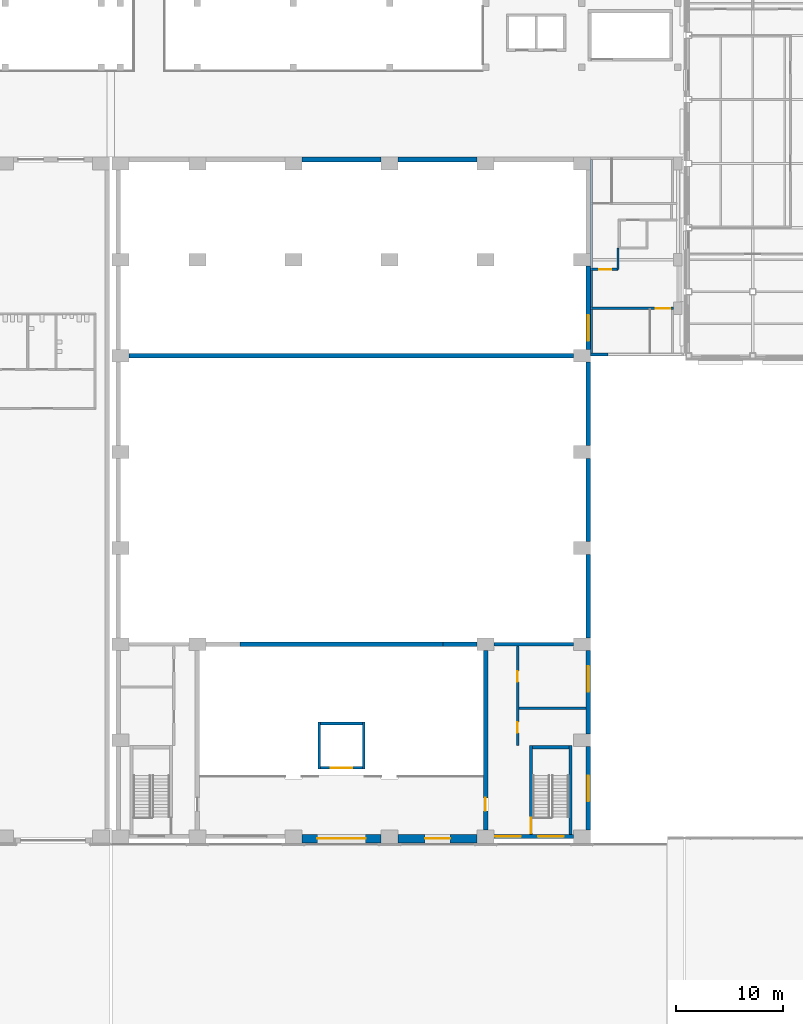
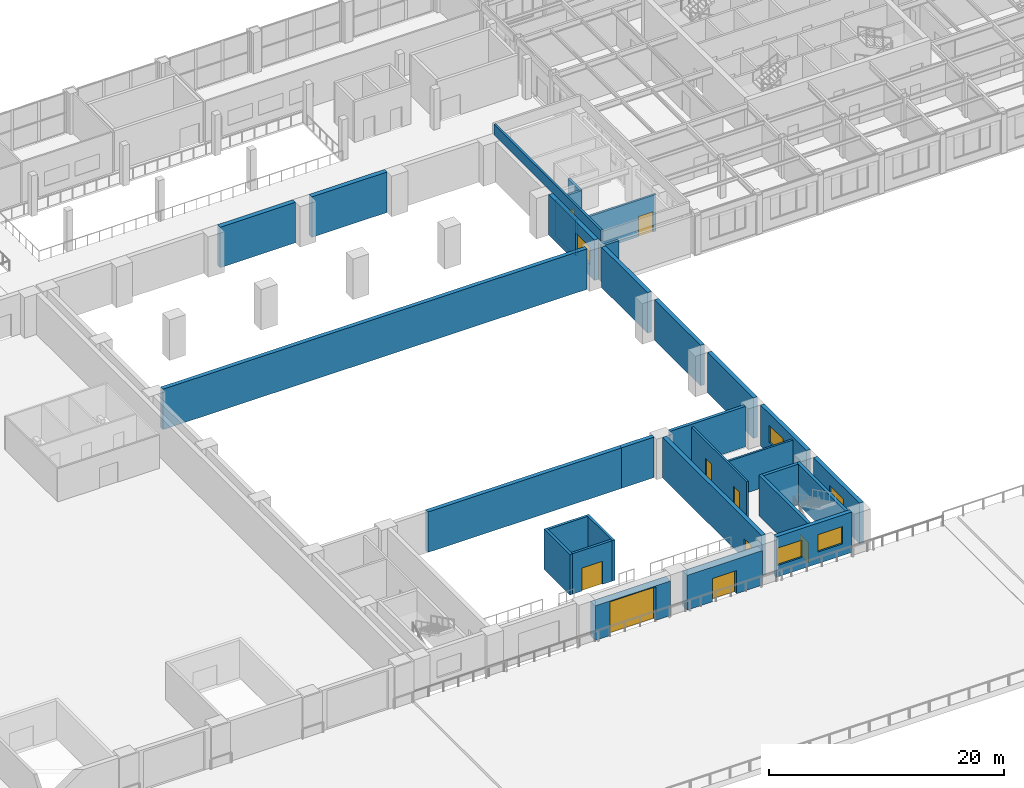
# One storey, part 21 of 39: 32 walls, 9 doors, 5 windows, 14 openings.
"""IFC4 building model written with IfcOpenShell, lengths in metres."""

import ifcopenshell
import ifcopenshell.guid

model = None  # the IFC model being written
_history = None  # IfcOwnerHistory: only IFC2X3 demands one
_inside = {}  # id of a spatial element -> (the spatial element, [elements in it])
_under = {}  # id of a project, library or spatial element -> (it, [spatial elements below it])
_declared = {}  # id of a project -> (the project, [libraries it declares])
_typed = {}  # id of a type object -> (the type object, [elements of that type])
_made_of = {}  # id of a material, layer set ... -> (it, [elements and type objects made of it])


def new_model(schema):
    """Start an empty IFC model of exactly this schema.

    Asked for "IFC4X3", IfcOpenShell would pick the latest addendum, in which some entities
    have other attributes; the version numbers below select the first issue.
    IFC2X3 requires an IfcOwnerHistory on every rooted entity: one is made here for all.
    """
    global model, _history
    if schema == "IFC4X3":
        model = ifcopenshell.file(schema_version=(4, 3, 0, 0))
    else:
        model = ifcopenshell.file(schema=schema)
    _inside.clear()
    _under.clear()
    _declared.clear()
    _typed.clear()
    _made_of.clear()
    _history = None
    if model.schema == "IFC2X3":
        org = make("IfcOrganization", Name="unknown")
        user = make(
            "IfcPersonAndOrganization",
            ThePerson=make("IfcPerson", FamilyName="unknown"),
            TheOrganization=org,
        )
        app = make(
            "IfcApplication",
            ApplicationDeveloper=org,
            Version="unknown",
            ApplicationFullName="unknown",
            ApplicationIdentifier="unknown",
        )
        _history = make(
            "IfcOwnerHistory",
            OwningUser=user,
            OwningApplication=app,
            ChangeAction="ADDED",
            CreationDate=0,
        )
    return model


def make(cls, **values):
    """One entity of the class cls with the attributes given. An attribute that is None is left unset."""
    return model.create_entity(
        cls, **{name: value for name, value in values.items() if value is not None}
    )


def rooted(cls, **values):
    """An entity with a GlobalId (a new one), such as an element, a storey or a relation."""
    return make(cls, GlobalId=ifcopenshell.guid.new(), OwnerHistory=_history, **values)


def si_unit(unit_type, name, prefix=None):
    """IfcSIUnit, for example si_unit("LENGTHUNIT", "METRE", prefix="MILLI")."""
    return make("IfcSIUnit", UnitType=unit_type, Prefix=prefix, Name=name)


def assignment(units):
    """IfcUnitAssignment: the units of a project."""
    return None if units is None else make("IfcUnitAssignment", Units=units)


def point(xyz):
    """IfcCartesianPoint."""
    return None if xyz is None else make("IfcCartesianPoint", Coordinates=xyz)


def direction(xyz):
    """IfcDirection."""
    return None if xyz is None else make("IfcDirection", DirectionRatios=xyz)


def frame(location, z_axis=None, x_axis=None):
    """IfcAxis2Placement3D, a coordinate frame: its origin and axes. An axis left out is left unset."""
    return make(
        "IfcAxis2Placement3D",
        Location=point(location),
        Axis=direction(z_axis),
        RefDirection=direction(x_axis),
    )


def frame_2d(location, x_axis=None):
    """IfcAxis2Placement2D, a coordinate frame in the plane: its origin and x axis."""
    return make(
        "IfcAxis2Placement2D", Location=point(location), RefDirection=direction(x_axis)
    )


def origin():
    """The frame at (0, 0, 0) with its axes left unset."""
    return frame((0.0, 0.0, 0.0))


def place(relative_to, where):
    """IfcLocalPlacement: puts the frame where relative to a parent placement (None: the world)."""
    return make(
        "IfcLocalPlacement", PlacementRelTo=relative_to, RelativePlacement=where
    )


def context(
    kind, dimensions, precision=None, world=None, true_north=None, identifier=None
):
    """IfcGeometricRepresentationContext, for example the 3D "Model" context."""
    return make(
        "IfcGeometricRepresentationContext",
        ContextIdentifier=identifier,
        ContextType=kind,
        CoordinateSpaceDimension=dimensions,
        Precision=precision,
        WorldCoordinateSystem=world,
        TrueNorth=true_north,
    )


def subcontext(parent, identifier, kind, view, scale=None):
    """IfcGeometricRepresentationSubContext, for example "Body" below "Model"."""
    return make(
        "IfcGeometricRepresentationSubContext",
        ContextIdentifier=identifier,
        ContextType=kind,
        ParentContext=parent,
        TargetScale=scale,
        TargetView=view,
    )


def project(units=None, contexts=None):
    """IfcProject with its units and contexts."""
    return rooted(
        "IfcProject",
        Name="project",
        RepresentationContexts=contexts,
        UnitsInContext=assignment(units),
    )


def spatial(cls, under=None, at=None, **own):
    """A site, building, storey or space (cls), placed at a placement, below another one or the project."""
    s = rooted(cls, ObjectPlacement=at, **own)
    if under is not None:
        _under.setdefault(under.id(), (under, []))[1].append(s)
    return s


def profile(cls, at=None, kind="AREA", **sizes):
    """A parametric profile (cls). Its sizes go by their IFC names, for example OverallWidth=200.0."""
    return make(cls, ProfileType=kind, Position=at, **sizes)


def rectangle(**sizes):
    """IfcRectangleProfileDef."""
    return profile("IfcRectangleProfileDef", **sizes)


def extrude(swept, where, along, depth):
    """IfcExtrudedAreaSolid: the profile swept, set in the frame where, extruded along a direction by depth."""
    return make(
        "IfcExtrudedAreaSolid",
        SweptArea=swept,
        Position=where,
        ExtrudedDirection=direction(along),
        Depth=depth,
    )


def shape(context_of_items, identifier, shape_type, items):
    """IfcShapeRepresentation: the items that make up one representation, for example the "Body"."""
    return make(
        "IfcShapeRepresentation",
        ContextOfItems=context_of_items,
        RepresentationIdentifier=identifier,
        RepresentationType=shape_type,
        Items=items,
    )


def material(Name=None, Category=None):
    """IfcMaterial."""
    return make("IfcMaterial", Name=Name, Category=Category)


def layer(
    of_material, thickness, ventilated=None, Name=None, Category=None, Priority=None
):
    """IfcMaterialLayer: one layer of a wall or slab, of a material (None: an air gap)."""
    return make(
        "IfcMaterialLayer",
        Material=of_material,
        LayerThickness=thickness,
        IsVentilated=ventilated,
        Name=Name,
        Category=Category,
        Priority=Priority,
    )


def layer_set(layers, Name=None):
    """IfcMaterialLayerSet."""
    return make("IfcMaterialLayerSet", MaterialLayers=layers, LayerSetName=Name)


def made_of(thing, what):
    """Note that an element or type object is made of a material, layer set ...; save() writes the relation."""
    if what is not None:
        _made_of.setdefault(what.id(), (what, []))[1].append(thing)
    return thing


def type_object(cls, material=None, **own):
    """A type object (cls), such as IfcWallType, which elements share."""
    return made_of(rooted(cls, **own), material)


def element(
    cls,
    number,
    at=None,
    inside=None,
    cuts=None,
    type_object=None,
    material=None,
    context=None,
    identifier="Body",
    shape_type=None,
    held_by="IfcProductDefinitionShape",
    body=None,
    shapes=None,
    **own,
):
    """One element of the class cls, such as IfcWall. Its Tag is "e" and its number.

    at: its placement. inside: the storey or other place that contains it. cuts: it is an
    opening in that element (IfcRelVoidsElement). A single representation is given by context,
    identifier, shape_type and body (its items); several are given by shapes. held_by: the class
    of the entity that holds the representations. save() writes the other relations.
    """
    e = rooted(cls, Tag="e%d" % number, ObjectPlacement=at, **own)
    if body is not None:
        shapes = [shape(context, identifier, shape_type, body)]
    if shapes is not None:
        e.Representation = make(held_by, Representations=shapes)
    if inside is not None:
        _inside.setdefault(inside.id(), (inside, []))[1].append(e)
    if cuts is not None:
        rooted(
            "IfcRelVoidsElement", RelatingBuildingElement=cuts, RelatedOpeningElement=e
        )
    if type_object is not None:
        _typed.setdefault(type_object.id(), (type_object, []))[1].append(e)
    return made_of(e, material)


def fill(opening, filler):
    """IfcRelFillsElement: the door or window that sits in an opening."""
    return rooted(
        "IfcRelFillsElement",
        RelatingOpeningElement=opening,
        RelatedBuildingElement=filler,
    )


def aggregate(whole, parts):
    """IfcRelAggregates: a whole, such as a stair, and the parts it consists of."""
    return rooted("IfcRelAggregates", RelatingObject=whole, RelatedObjects=parts)


def save(model, path):
    """Write the relations noted so far, then the file.

    IfcRelAggregates (storeys below a building ...), IfcRelContainedInSpatialStructure (elements
    in a storey), IfcRelDefinesByType, IfcRelAssociatesMaterial and IfcRelDeclares: one each for
    every whole, place, type object, material and project.
    """
    for whole, parts in _under.values():
        aggregate(whole, parts)
    for where, things in _inside.values():
        rooted(
            "IfcRelContainedInSpatialStructure",
            RelatedElements=things,
            RelatingStructure=where,
        )
    for kind, things in _typed.values():
        rooted("IfcRelDefinesByType", RelatedObjects=things, RelatingType=kind)
    for what, things in _made_of.values():
        rooted("IfcRelAssociatesMaterial", RelatedObjects=things, RelatingMaterial=what)
    for by, libraries in _declared.values():
        rooted("IfcRelDeclares", RelatingContext=by, RelatedDefinitions=libraries)
    model.write(path)


model = new_model("IFC4")

# Units and contexts
model_context = context("Model", 3, precision=1e-05, world=origin(), true_north=direction((0.0, 1.0)))
body_context = subcontext(model_context, "Body", "Model", "MODEL_VIEW")
ifc_project = project(units=[si_unit("LENGTHUNIT", "METRE"), si_unit("AREAUNIT", "SQUARE_METRE"), si_unit("VOLUMEUNIT", "CUBIC_METRE"), si_unit("PLANEANGLEUNIT", "RADIAN"), si_unit("MASSUNIT", "GRAM", prefix="KILO")], contexts=[model_context])

# Site, building, storey
site_placement = place(None, origin())
site = spatial("IfcSite", under=ifc_project, at=site_placement, CompositionType="ELEMENT")
building_placement = place(site_placement, origin())
building = spatial("IfcBuilding", under=site, at=building_placement, Name="Aravalli Gate Trade Fair Centre", CompositionType="ELEMENT")
storey_placement = place(building_placement, frame((0.0, 0.0, 15.0)))
storey = spatial("IfcBuildingStorey", under=building, at=storey_placement, Name="L03", CompositionType="ELEMENT", Elevation=15.0)

# Walls
ifc_material_1 = material(Name="Concrete M40", Category="concrete")
ifc_layer_1 = layer(ifc_material_1, 0.25)
ifc_layer_set_1 = layer_set([ifc_layer_1], Name="Concrete M40")
wall_type_1 = type_object("IfcWallType", Name="Congress RC wall 250 shaft", PredefinedType="SHEAR", material=ifc_layer_set_1)
for number, where, z_axis, x_axis, name in (
    (1, (125.425048828125, 52.300048828125, 0.0), (0.0, 0.0, 1.0), (0.0, 1.0, 0.0), "Goods lift shaft wall W L03"),
    (2, (129.574951171875, 52.300048828125, 0.0), (0.0, 0.0, 1.0), (0.0, 1.0, 0.0), "Goods lift shaft wall E L03"),
):
    element("IfcWall", number, at=place(storey_placement, frame(where, z_axis=z_axis, x_axis=x_axis)), inside=storey, type_object=wall_type_1, Name=name, PredefinedType="SHEAR", context=body_context, shape_type="SweptSolid", body=[
        extrude(rectangle(XDim=4.39990234375, YDim=0.25, at=frame_2d((2.199951171875, 0.0))), origin(), (0.0, 0.0, 1.0), 4.199951171875),
    ])

# Wall, opening, door
wall_1_placement = place(storey_placement, frame((125.550048828125, 52.425048828125, 0.0), z_axis=(0.0, 0.0, 1.0), x_axis=(1.0, 0.0, 0.0)))
wall_1 = element("IfcWall", 3, at=wall_1_placement, inside=storey, type_object=wall_type_1, Name="Goods lift shaft wall F L03", PredefinedType="SHEAR", context=body_context, shape_type="SweptSolid", body=[
    extrude(rectangle(XDim=3.89990234375, YDim=0.25, at=frame_2d((1.949951171875, 0.0))), origin(), (0.0, 0.0, 1.0), 4.199951171875),
])
opening_1_placement = place(wall_1_placement, frame((0.949951171875, 0.0, 0.0)))
opening_1 = element("IfcOpeningElement", 4, at=opening_1_placement, cuts=wall_1, Name="Opening G-L03-03", PredefinedType="OPENING", context=body_context, shape_type="SweptSolid", body=[
    extrude(rectangle(XDim=2.0, YDim=2.39990234375, at=frame_2d((1.0, 1.199951171875))), frame((0.0, 0.135009765625, 0.0), z_axis=(0.0, -1.0, 0.0), x_axis=(1.0, 0.0, 0.0)), (0.0, 0.0, 1.0), 0.27001953125),
])
ifc_material_2 = material(Name="Elevator door panels")
door_type_1 = type_object("IfcDoorType", Name="Congress lift landing door 2000 x 2400", OperationType="SLIDING_TO_LEFT", PredefinedType="DOOR", material=ifc_material_2)
door_1_placement = place(opening_1_placement, origin())
door_1 = element("IfcDoor", 5, at=door_1_placement, inside=storey, type_object=door_type_1, Name="Lift GL3 landing door G-L03-03", OperationType="SLIDING_TO_LEFT", OverallHeight=2.39990234375, OverallWidth=2.0, PredefinedType="DOOR", context=body_context, shape_type="SweptSolid", body=[
    extrude(rectangle(XDim=2.0, YDim=2.39990234375, at=frame_2d((1.0, 1.199951171875))), frame((0.0, 0.02490234375, 0.0), z_axis=(0.0, -1.0, 0.0), x_axis=(1.0, 0.0, 0.0)), (0.0, 0.0, 1.0), 0.050048828125),
])
fill(opening_1, door_1)

# Walls
wall_2_placement = place(storey_placement, frame((125.550048828125, 56.574951171875, 0.0), z_axis=(0.0, 0.0, 1.0), x_axis=(1.0, 0.0, 0.0)))
element("IfcWall", 6, at=wall_2_placement, inside=storey, type_object=wall_type_1, Name="Goods lift shaft wall N L03", PredefinedType="SHEAR", context=body_context, shape_type="SweptSolid", body=[
    extrude(rectangle(XDim=3.89990234375, YDim=0.25, at=frame_2d((1.949951171875, 0.0))), origin(), (0.0, 0.0, 1.0), 4.199951171875),
])
ifc_layer_2 = layer(ifc_material_1, 0.300048828125)
ifc_layer_set_2 = layer_set([ifc_layer_2], Name="Concrete M40")
wall_type_2 = type_object("IfcWallType", Name="Congress RC wall 300", PredefinedType="SHEAR", material=ifc_layer_set_2)
wall_3_placement = place(storey_placement, frame((141.800048828125, 64.0, 0.0), z_axis=(0.0, 0.0, 1.0), x_axis=(1.0, 0.0, 0.0)))
element("IfcWall", 7, at=wall_3_placement, inside=storey, type_object=wall_type_2, Name="Stage wing north wall E L03", PredefinedType="SHEAR", context=body_context, shape_type="SweptSolid", body=[
    extrude(rectangle(XDim=7.39990234375, YDim=0.300048828125, at=frame_2d((3.699951171875, 0.0))), origin(), (0.0, 0.0, 1.0), 4.199951171875),
])

# Wall, opening, door
wall_4_placement = place(storey_placement, frame((145.25, 46.199951171875, 0.0), z_axis=(0.0, 0.0, 1.0), x_axis=(0.0, 1.0, 0.0)))
wall_4 = element("IfcWall", 8, at=wall_4_placement, inside=storey, type_object=wall_type_2, Name="Stage Stair East wall W L03", PredefinedType="SHEAR", context=body_context, shape_type="SweptSolid", body=[
    extrude(rectangle(XDim=8.300048828125, YDim=0.300048828125, at=frame_2d((4.14990234375, 0.0))), origin(), (0.0, 0.0, 1.0), 4.199951171875),
])
opening_2_placement = place(wall_4_placement, frame((0.0849609375, 0.0, 0.0)))
opening_2 = element("IfcOpeningElement", 9, at=opening_2_placement, cuts=wall_4, Name="Opening G-L03-05", PredefinedType="OPENING", context=body_context, shape_type="SweptSolid", body=[
    extrude(rectangle(XDim=1.449951171875, YDim=2.10009765625, at=frame_2d((0.72509765625, 1.050048828125))), frame((0.0, 0.159912109375, 0.0), z_axis=(0.0, -1.0, 0.0), x_axis=(1.0, 0.0, 0.0)), (0.0, 0.0, 1.0), 0.320068359375),
])
ifc_material_3 = material(Name="Steel, fire rated", Category="steel")
door_type_2 = type_object("IfcDoorType", Name="Congress fire door FD120 1450 x 2100", OperationType="SINGLE_SWING_LEFT", PredefinedType="DOOR", material=ifc_material_3)
door_2_placement = place(opening_2_placement, frame((1.449951171875, 0.0, 0.0), z_axis=(0.0, 0.0, 1.0), x_axis=(-1.0, 0.0, 0.0)))
door_2 = element("IfcDoor", 10, at=door_2_placement, inside=storey, type_object=door_type_2, Name="Stage Stair East door L03", OperationType="SINGLE_SWING_RIGHT", OverallHeight=2.10009765625, OverallWidth=1.449951171875, PredefinedType="DOOR", context=body_context, shape_type="SweptSolid", body=[
    extrude(rectangle(XDim=1.449951171875, YDim=2.10009765625, at=frame_2d((0.72509765625, 1.050048828125))), frame((0.0, 0.02490234375, 0.0), z_axis=(0.0, -1.0, 0.0), x_axis=(1.0, 0.0, 0.0)), (0.0, 0.0, 1.0), 0.050048828125),
])
fill(opening_2, door_2)

# Walls
wall_5_placement = place(storey_placement, frame((148.949951171875, 46.199951171875, 0.0), z_axis=(0.0, 0.0, 1.0), x_axis=(0.0, 1.0, 0.0)))
element("IfcWall", 11, at=wall_5_placement, inside=storey, type_object=wall_type_2, Name="Stage Stair East wall E L03", PredefinedType="SHEAR", context=body_context, shape_type="SweptSolid", body=[
    extrude(rectangle(XDim=8.300048828125, YDim=0.300048828125, at=frame_2d((4.14990234375, 0.0))), origin(), (0.0, 0.0, 1.0), 4.199951171875),
])
wall_6_placement = place(storey_placement, frame((145.39990234375, 54.35009765625, 0.0), z_axis=(0.0, 0.0, 1.0), x_axis=(1.0, 0.0, 0.0)))
element("IfcWall", 12, at=wall_6_placement, inside=storey, type_object=wall_type_2, Name="Stage Stair East wall N L03", PredefinedType="SHEAR", context=body_context, shape_type="SweptSolid", body=[
    extrude(rectangle(XDim=3.400146484375, YDim=0.300048828125, at=frame_2d((1.7001953125, 0.0))), origin(), (0.0, 0.0, 1.0), 4.199951171875),
])
ifc_layer_3 = layer(ifc_material_1, 0.39990234375)
ifc_layer_set_3 = layer_set([ifc_layer_3], Name="Concrete M40")
wall_type_3 = type_object("IfcWallType", Name="Congress RC wall 400", PredefinedType="SHEAR", material=ifc_layer_set_3)
wall_7_placement = place(storey_placement, frame((107.60009765625, 91.0, 0.0), z_axis=(0.0, 0.0, 1.0), x_axis=(1.0, 0.0, 0.0)))
element("IfcWall", 13, at=wall_7_placement, inside=storey, type_object=wall_type_3, Name="Auditorium rear wall L03", PredefinedType="SHEAR", context=body_context, shape_type="SweptSolid", body=[
    extrude(rectangle(XDim=41.599853515625, YDim=0.39990234375, at=frame_2d((20.7998046875, 0.0))), origin(), (0.0, 0.0, 1.0), 4.199951171875),
])

# Wall, opening, door
wall_8_placement = place(storey_placement, frame((141.0, 46.60009765625, 0.0), z_axis=(0.0, 0.0, 1.0), x_axis=(0.0, 1.0, 0.0)))
wall_8 = element("IfcWall", 14, at=wall_8_placement, inside=storey, type_object=wall_type_3, Name="Stage house wall line 141 L03", PredefinedType="SHEAR", context=body_context, shape_type="SweptSolid", body=[
    extrude(rectangle(XDim=16.7998046875, YDim=0.39990234375, at=frame_2d((8.39990234375, 0.0))), origin(), (0.0, 0.0, 1.0), 4.199951171875),
])
opening_3_placement = place(wall_8_placement, frame((1.800048828125, 0.0, 0.0)))
opening_3 = element("IfcOpeningElement", 15, at=opening_3_placement, cuts=wall_8, Name="Opening G-L03-07", PredefinedType="OPENING", context=body_context, shape_type="SweptSolid", body=[
    extrude(rectangle(XDim=1.199951171875, YDim=2.10009765625, at=frame_2d((0.60009765625, 1.050048828125))), frame((0.0, 0.2099609375, 0.0), z_axis=(0.0, -1.0, 0.0), x_axis=(1.0, 0.0, 0.0)), (0.0, 0.0, 1.0), 0.419921875),
])
door_type_3 = type_object("IfcDoorType", Name="Congress fire door FD120 1200 x 2100", OperationType="SINGLE_SWING_LEFT", PredefinedType="DOOR", material=ifc_material_3)
door_3_placement = place(opening_3_placement, frame((1.199951171875, 0.0, 0.0), z_axis=(0.0, 0.0, 1.0), x_axis=(-1.0, 0.0, 0.0)))
door_3 = element("IfcDoor", 16, at=door_3_placement, inside=storey, type_object=door_type_3, Name="Scenery gallery door east", OperationType="SINGLE_SWING_RIGHT", OverallHeight=2.10009765625, OverallWidth=1.199951171875, PredefinedType="DOOR", context=body_context, shape_type="SweptSolid", body=[
    extrude(rectangle(XDim=1.199951171875, YDim=2.10009765625, at=frame_2d((0.60009765625, 1.050048828125))), frame((0.0, 0.02490234375, 0.0), z_axis=(0.0, -1.0, 0.0), x_axis=(1.0, 0.0, 0.0)), (0.0, 0.0, 1.0), 0.050048828125),
])
fill(opening_3, door_3)

# Walls
wall_9_placement = place(storey_placement, frame((137.0, 64.0, 0.0), z_axis=(0.0, 0.0, 1.0), x_axis=(1.0, 0.0, 0.0)))
element("IfcWall", 17, at=wall_9_placement, inside=storey, type_object=wall_type_3, Name="Proscenium wall E L03", PredefinedType="SHEAR", context=body_context, shape_type="SweptSolid", body=[
    extrude(rectangle(XDim=3.199951171875, YDim=0.39990234375, at=frame_2d((1.60009765625, 0.0))), origin(), (0.0, 0.0, 1.0), 4.199951171875),
])
wall_10_placement = place(storey_placement, frame((118.0, 64.0, 0.0), z_axis=(0.0, 0.0, 1.0), x_axis=(1.0, 0.0, 0.0)))
element("IfcWall", 18, at=wall_10_placement, inside=storey, type_object=wall_type_3, Name="Proscenium wall above the opening L03", PredefinedType="SHEAR", context=body_context, shape_type="SweptSolid", body=[
    extrude(rectangle(XDim=19.0, YDim=0.39990234375, at=frame_2d((9.5, 0.0))), origin(), (0.0, 0.0, 1.0), 4.199951171875),
])

# Wall, opening, window
ifc_layer_4 = layer(ifc_material_1, 0.25, Name="Structural wall")
ifc_material_4 = material(Name="Ventilated air cavity")
ifc_layer_5 = layer(ifc_material_4, 0.050048828125, ventilated=True, Name="Ventilated cavity")
ifc_material_5 = material(Name="Terracotta rainscreen", Category="masonry")
ifc_layer_6 = layer(ifc_material_5, 0.10009765625, Name="Rainscreen cladding")
ifc_layer_set_4 = layer_set([ifc_layer_4, ifc_layer_5, ifc_layer_6], Name="Congress external wall 400")
wall_type_4 = type_object("IfcWallType", Name="Congress external wall 400", PredefinedType="SOLIDWALL", material=ifc_layer_set_4)
wall_11_placement = place(storey_placement, frame((150.60009765625, 46.60009765625, 0.0), z_axis=(0.0, 0.0, 1.0), x_axis=(0.0, 1.0, 0.0)))
wall_11 = element("IfcWall", 19, at=wall_11_placement, inside=storey, type_object=wall_type_4, Name="East wall L03 bay 1", PredefinedType="SOLIDWALL", context=body_context, shape_type="SweptSolid", body=[
    extrude(rectangle(XDim=7.7998046875, YDim=0.39990234375, at=frame_2d((3.89990234375, 0.0))), origin(), (0.0, 0.0, 1.0), 4.199951171875),
])
opening_4_placement = place(wall_11_placement, frame((2.699951171875, 0.0, 1.199951171875)))
opening_4 = element("IfcOpeningElement", 20, at=opening_4_placement, cuts=wall_11, Name="Opening GWN4", PredefinedType="OPENING", context=body_context, shape_type="SweptSolid", body=[
    extrude(rectangle(XDim=2.39990234375, YDim=1.800048828125, at=frame_2d((1.199951171875, 0.89990234375))), frame((0.0, 0.2099609375, 0.0), z_axis=(0.0, -1.0, 0.0), x_axis=(1.0, 0.0, 0.0)), (0.0, 0.0, 1.0), 0.419921875),
])
ifc_material_6 = material(Name="Aluminium and glass", Category="aluminium")
window_type = type_object("IfcWindowType", Name="Congress wing window 2400 x 1800", PartitioningType="DOUBLE_PANEL_VERTICAL", PredefinedType="WINDOW", material=ifc_material_6)
window_1_placement = place(opening_4_placement, origin())
window_1 = element("IfcWindow", 21, at=window_1_placement, inside=storey, type_object=window_type, Name="East window L03 bay 1", OverallHeight=1.800048828125, OverallWidth=2.39990234375, PartitioningType="SINGLE_PANEL", PredefinedType="WINDOW", context=body_context, shape_type="SweptSolid", body=[
    extrude(rectangle(XDim=2.39990234375, YDim=1.800048828125, at=frame_2d((1.199951171875, 0.89990234375))), frame((0.0, 0.030029296875, 0.0), z_axis=(0.0, -1.0, 0.0), x_axis=(1.0, 0.0, 0.0)), (0.0, 0.0, 1.0), 0.06005859375),
])
fill(opening_4, window_1)

wall_12_placement = place(storey_placement, frame((150.60009765625, 55.60009765625, 0.0), z_axis=(0.0, 0.0, 1.0), x_axis=(0.0, 1.0, 0.0)))
wall_12 = element("IfcWall", 22, at=wall_12_placement, inside=storey, type_object=wall_type_4, Name="East wall L03 bay 2", PredefinedType="SOLIDWALL", context=body_context, shape_type="SweptSolid", body=[
    extrude(rectangle(XDim=7.7998046875, YDim=0.39990234375, at=frame_2d((3.89990234375, 0.0))), origin(), (0.0, 0.0, 1.0), 4.199951171875),
])
opening_5_placement = place(wall_12_placement, frame((3.949951171875, 0.0, 1.199951171875)))
opening_5 = element("IfcOpeningElement", 23, at=opening_5_placement, cuts=wall_12, Name="Opening GWN4", PredefinedType="OPENING", context=body_context, shape_type="SweptSolid", body=[
    extrude(rectangle(XDim=2.39990234375, YDim=1.800048828125, at=frame_2d((1.199951171875, 0.89990234375))), frame((0.0, 0.2099609375, 0.0), z_axis=(0.0, -1.0, 0.0), x_axis=(1.0, 0.0, 0.0)), (0.0, 0.0, 1.0), 0.419921875),
])
window_2_placement = place(opening_5_placement, origin())
window_2 = element("IfcWindow", 24, at=window_2_placement, inside=storey, type_object=window_type, Name="East window L03 bay 2", OverallHeight=1.800048828125, OverallWidth=2.39990234375, PartitioningType="SINGLE_PANEL", PredefinedType="WINDOW", context=body_context, shape_type="SweptSolid", body=[
    extrude(rectangle(XDim=2.39990234375, YDim=1.800048828125, at=frame_2d((1.199951171875, 0.89990234375))), frame((0.0, 0.030029296875, 0.0), z_axis=(0.0, -1.0, 0.0), x_axis=(1.0, 0.0, 0.0)), (0.0, 0.0, 1.0), 0.06005859375),
])
fill(opening_5, window_2)

# Walls
for number, where, z_axis, x_axis, name in (
    (25, (150.60009765625, 64.60009765625, 0.0), (0.0, 0.0, 1.0), (0.0, 1.0, 0.0), "East wall L03 bay 3"),
    (26, (150.60009765625, 73.60009765625, 0.0), (0.0, 0.0, 1.0), (0.0, 1.0, 0.0), "East wall L03 bay 4"),
    (27, (150.60009765625, 82.60009765625, 0.0), (0.0, 0.0, 1.0), (0.0, 1.0, 0.0), "East wall L03 bay 5"),
):
    element("IfcWall", number, at=place(storey_placement, frame(where, z_axis=z_axis, x_axis=x_axis)), inside=storey, type_object=wall_type_4, Name=name, PredefinedType="SOLIDWALL", context=body_context, shape_type="SweptSolid", body=[
        extrude(rectangle(XDim=7.7998046875, YDim=0.39990234375, at=frame_2d((3.89990234375, 0.0))), origin(), (0.0, 0.0, 1.0), 4.199951171875),
    ])

# Wall, opening, window
wall_13_placement = place(storey_placement, frame((150.60009765625, 91.60009765625, 0.0), z_axis=(0.0, 0.0, 1.0), x_axis=(0.0, 1.0, 0.0)))
wall_13 = element("IfcWall", 28, at=wall_13_placement, inside=storey, type_object=wall_type_4, Name="East wall L03 bay 6", PredefinedType="SOLIDWALL", context=body_context, shape_type="SweptSolid", body=[
    extrude(rectangle(XDim=7.7998046875, YDim=0.39990234375, at=frame_2d((3.89990234375, 0.0))), origin(), (0.0, 0.0, 1.0), 4.199951171875),
])
opening_6_placement = place(wall_13_placement, frame((0.800048828125, 0.0, 1.199951171875)))
opening_6 = element("IfcOpeningElement", 29, at=opening_6_placement, cuts=wall_13, Name="Opening GWN4", PredefinedType="OPENING", context=body_context, shape_type="SweptSolid", body=[
    extrude(rectangle(XDim=2.39990234375, YDim=1.800048828125, at=frame_2d((1.199951171875, 0.89990234375))), frame((0.0, 0.2099609375, 0.0), z_axis=(0.0, -1.0, 0.0), x_axis=(1.0, 0.0, 0.0)), (0.0, 0.0, 1.0), 0.419921875),
])
window_3_placement = place(opening_6_placement, origin())
window_3 = element("IfcWindow", 30, at=window_3_placement, inside=storey, type_object=window_type, Name="East window L03 bay 6", OverallHeight=1.800048828125, OverallWidth=2.39990234375, PartitioningType="SINGLE_PANEL", PredefinedType="WINDOW", context=body_context, shape_type="SweptSolid", body=[
    extrude(rectangle(XDim=2.39990234375, YDim=1.800048828125, at=frame_2d((1.199951171875, 0.89990234375))), frame((0.0, 0.030029296875, 0.0), z_axis=(0.0, -1.0, 0.0), x_axis=(1.0, 0.0, 0.0)), (0.0, 0.0, 1.0), 0.06005859375),
])
fill(opening_6, window_3)

# Wall, openings, windows
wall_14_placement = place(storey_placement, frame((141.800048828125, 46.0, 0.0), z_axis=(0.0, 0.0, 1.0), x_axis=(1.0, 0.0, 0.0)))
wall_14 = element("IfcWall", 31, at=wall_14_placement, inside=storey, type_object=wall_type_4, Name="South wall L03 bay 5", PredefinedType="SOLIDWALL", context=body_context, shape_type="SweptSolid", body=[
    extrude(rectangle(XDim=7.39990234375, YDim=0.39990234375, at=frame_2d((3.699951171875, 0.0))), origin(), (0.0, 0.0, 1.0), 4.199951171875),
])
opening_7_placement = place(wall_14_placement, frame((4.10009765625, 0.0, 1.199951171875)))
opening_7 = element("IfcOpeningElement", 32, at=opening_7_placement, cuts=wall_14, Name="Opening GWN4", PredefinedType="OPENING", context=body_context, shape_type="SweptSolid", body=[
    extrude(rectangle(XDim=2.39990234375, YDim=1.800048828125, at=frame_2d((1.199951171875, 0.89990234375))), frame((0.0, 0.2099609375, 0.0), z_axis=(0.0, -1.0, 0.0), x_axis=(1.0, 0.0, 0.0)), (0.0, 0.0, 1.0), 0.419921875),
])
opening_8_placement = place(wall_14_placement, frame((0.10009765625, 0.0, 1.199951171875)))
opening_8 = element("IfcOpeningElement", 33, at=opening_8_placement, cuts=wall_14, Name="Opening GWN4", PredefinedType="OPENING", context=body_context, shape_type="SweptSolid", body=[
    extrude(rectangle(XDim=2.39990234375, YDim=1.800048828125, at=frame_2d((1.199951171875, 0.89990234375))), frame((0.0, 0.2099609375, 0.0), z_axis=(0.0, -1.0, 0.0), x_axis=(1.0, 0.0, 0.0)), (0.0, 0.0, 1.0), 0.419921875),
])
window_4_placement = place(opening_7_placement, origin())
window_4 = element("IfcWindow", 34, at=window_4_placement, inside=storey, type_object=window_type, Name="South window L03 bay 5", OverallHeight=1.800048828125, OverallWidth=2.39990234375, PartitioningType="SINGLE_PANEL", PredefinedType="WINDOW", context=body_context, shape_type="SweptSolid", body=[
    extrude(rectangle(XDim=2.39990234375, YDim=1.800048828125, at=frame_2d((1.199951171875, 0.89990234375))), frame((0.0, 0.030029296875, 0.0), z_axis=(0.0, -1.0, 0.0), x_axis=(1.0, 0.0, 0.0)), (0.0, 0.0, 1.0), 0.06005859375),
])
fill(opening_7, window_4)
window_5_placement = place(opening_8_placement, origin())
window_5 = element("IfcWindow", 35, at=window_5_placement, inside=storey, type_object=window_type, Name="South window L03 bay 5", OverallHeight=1.800048828125, OverallWidth=2.39990234375, PartitioningType="SINGLE_PANEL", PredefinedType="WINDOW", context=body_context, shape_type="SweptSolid", body=[
    extrude(rectangle(XDim=2.39990234375, YDim=1.800048828125, at=frame_2d((1.199951171875, 0.89990234375))), frame((0.0, 0.030029296875, 0.0), z_axis=(0.0, -1.0, 0.0), x_axis=(1.0, 0.0, 0.0)), (0.0, 0.0, 1.0), 0.06005859375),
])
fill(opening_8, window_5)

# Wall, opening, door
ifc_layer_7 = layer(ifc_material_1, 0.60009765625, Name="Structural wall")
ifc_layer_8 = layer(ifc_material_4, 0.10009765625, ventilated=True, Name="Ventilated cavity")
ifc_layer_9 = layer(ifc_material_5, 0.10009765625, Name="Rainscreen cladding")
ifc_layer_set_5 = layer_set([ifc_layer_7, ifc_layer_8, ifc_layer_9], Name="Congress external wall 800")
wall_type_5 = type_object("IfcWallType", Name="Congress external wall 800", PredefinedType="SOLIDWALL", material=ifc_layer_set_5)
wall_15_placement = place(storey_placement, frame((123.800048828125, 45.800048828125, 0.0), z_axis=(0.0, 0.0, 1.0), x_axis=(1.0, 0.0, 0.0)))
wall_15 = element("IfcWall", 36, at=wall_15_placement, inside=storey, type_object=wall_type_5, Name="South wall L03 bay 3", PredefinedType="SOLIDWALL", context=body_context, shape_type="SweptSolid", body=[
    extrude(rectangle(XDim=7.39990234375, YDim=0.800048828125, at=frame_2d((3.699951171875, 0.0))), origin(), (0.0, 0.0, 1.0), 3.60009765625),
])
opening_9_placement = place(wall_15_placement, frame((1.449951171875, 0.0, 0.0)))
opening_9 = element("IfcOpeningElement", 37, at=opening_9_placement, cuts=wall_15, Name="Opening G-L03-01", PredefinedType="OPENING", context=body_context, shape_type="SweptSolid", body=[
    extrude(rectangle(XDim=4.5, YDim=3.5, at=frame_2d((2.25, 1.75))), frame((0.0, 0.409912109375, 0.0), z_axis=(0.0, -1.0, 0.0), x_axis=(1.0, 0.0, 0.0)), (0.0, 0.0, 1.0), 0.820068359375),
])
ifc_material_7 = material(Name="Timber and steel", Category="steel")
door_type_4 = type_object("IfcDoorType", Name="Congress rolling shutter 4500 x 3500 rollingup", OperationType="ROLLINGUP", PredefinedType="DOOR", material=ifc_material_7)
door_4_placement = place(opening_9_placement, frame((4.5, 0.0, 0.0), z_axis=(0.0, 0.0, 1.0), x_axis=(-1.0, 0.0, 0.0)))
door_4 = element("IfcDoor", 38, at=door_4_placement, inside=storey, type_object=door_type_4, Name="Scenery loading shutter", OperationType="ROLLINGUP", OverallHeight=3.5, OverallWidth=4.5, PredefinedType="DOOR", context=body_context, shape_type="SweptSolid", body=[
    extrude(rectangle(XDim=4.5, YDim=3.5, at=frame_2d((2.25, 1.75))), frame((0.0, 0.02490234375, 0.0), z_axis=(0.0, -1.0, 0.0), x_axis=(1.0, 0.0, 0.0)), (0.0, 0.0, 1.0), 0.050048828125),
])
fill(opening_9, door_4)

wall_16_placement = place(storey_placement, frame((132.800048828125, 45.800048828125, 0.0), z_axis=(0.0, 0.0, 1.0), x_axis=(1.0, 0.0, 0.0)))
wall_16 = element("IfcWall", 39, at=wall_16_placement, inside=storey, type_object=wall_type_5, Name="South wall L03 bay 4", PredefinedType="SOLIDWALL", context=body_context, shape_type="SweptSolid", body=[
    extrude(rectangle(XDim=7.39990234375, YDim=0.800048828125, at=frame_2d((3.699951171875, 0.0))), origin(), (0.0, 0.0, 1.0), 3.60009765625),
])
opening_10_placement = place(wall_16_placement, frame((2.52490234375, 0.0, 0.0)))
opening_10 = element("IfcOpeningElement", 40, at=opening_10_placement, cuts=wall_16, Name="Opening G-L03-02", PredefinedType="OPENING", context=body_context, shape_type="SweptSolid", body=[
    extrude(rectangle(XDim=2.35009765625, YDim=2.39990234375, at=frame_2d((1.175048828125, 1.199951171875))), frame((0.0, 0.409912109375, 0.0), z_axis=(0.0, -1.0, 0.0), x_axis=(1.0, 0.0, 0.0)), (0.0, 0.0, 1.0), 0.820068359375),
])
door_type_5 = type_object("IfcDoorType", Name="Congress fire door FD120 2350 x 2400 double door single swing", OperationType="DOUBLE_DOOR_SINGLE_SWING", PredefinedType="DOOR", material=ifc_material_3)
door_5_placement = place(opening_10_placement, frame((2.35009765625, 0.0, 0.0), z_axis=(0.0, 0.0, 1.0), x_axis=(-1.0, 0.0, 0.0)))
door_5 = element("IfcDoor", 41, at=door_5_placement, inside=storey, type_object=door_type_5, Name="Scenery gallery personnel door", OperationType="DOUBLE_DOOR_SINGLE_SWING", OverallHeight=2.39990234375, OverallWidth=2.35009765625, PredefinedType="DOOR", context=body_context, shape_type="SweptSolid", body=[
    extrude(rectangle(XDim=2.35009765625, YDim=2.39990234375, at=frame_2d((1.175048828125, 1.199951171875))), frame((0.0, 0.02490234375, 0.0), z_axis=(0.0, -1.0, 0.0), x_axis=(1.0, 0.0, 0.0)), (0.0, 0.0, 1.0), 0.050048828125),
])
fill(opening_10, door_5)

# Wall, openings, doors
ifc_material_8 = material(Name="Concrete block masonry", Category="masonry")
ifc_layer_10 = layer(ifc_material_8, 0.199951171875)
ifc_layer_set_6 = layer_set([ifc_layer_10], Name="Concrete block masonry")
wall_type_6 = type_object("IfcWallType", Name="Congress partition 200", PredefinedType="PARTITIONING", material=ifc_layer_set_6)
wall_17_placement = place(storey_placement, frame((144.0, 54.5, 0.0), z_axis=(0.0, 0.0, 1.0), x_axis=(0.0, 1.0, 0.0)))
wall_17 = element("IfcWall", 42, at=wall_17_placement, inside=storey, type_object=wall_type_6, Name="Wing partition E L03", PredefinedType="PARTITIONING", context=body_context, shape_type="SweptSolid", body=[
    extrude(rectangle(XDim=9.35009765625, YDim=0.199951171875, at=frame_2d((4.675048828125, 0.0))), origin(), (0.0, 0.0, 1.0), 3.89990234375),
])
opening_11_placement = place(wall_17_placement, frame((1.199951171875, 0.0, 0.0)))
opening_11 = element("IfcOpeningElement", 43, at=opening_11_placement, cuts=wall_17, Name="Opening G-L03-10", PredefinedType="OPENING", context=body_context, shape_type="SweptSolid", body=[
    extrude(rectangle(XDim=1.0, YDim=2.10009765625, at=frame_2d((0.5, 1.050048828125))), frame((0.0, 0.10986328125, 0.0), z_axis=(0.0, -1.0, 0.0), x_axis=(1.0, 0.0, 0.0)), (0.0, 0.0, 1.0), 0.219970703125),
])
opening_12_placement = place(wall_17_placement, frame((5.97509765625, 0.0, 0.0)))
opening_12 = element("IfcOpeningElement", 44, at=opening_12_placement, cuts=wall_17, Name="Opening G-L03-11", PredefinedType="OPENING", context=body_context, shape_type="SweptSolid", body=[
    extrude(rectangle(XDim=1.0, YDim=2.10009765625, at=frame_2d((0.5, 1.050048828125))), frame((0.0, 0.10986328125, 0.0), z_axis=(0.0, -1.0, 0.0), x_axis=(1.0, 0.0, 0.0)), (0.0, 0.0, 1.0), 0.219970703125),
])
door_type_6 = type_object("IfcDoorType", Name="Congress fire door FD60 1000 x 2100", OperationType="SINGLE_SWING_LEFT", PredefinedType="DOOR", material=ifc_material_3)
door_6_placement = place(opening_11_placement, frame((1.0, 0.0, 0.0), z_axis=(0.0, 0.0, 1.0), x_axis=(-1.0, 0.0, 0.0)))
door_6 = element("IfcDoor", 45, at=door_6_placement, inside=storey, type_object=door_type_6, Name="Wing room door E L03 a", OperationType="SINGLE_SWING_LEFT", OverallHeight=2.10009765625, OverallWidth=1.0, PredefinedType="DOOR", context=body_context, shape_type="SweptSolid", body=[
    extrude(rectangle(XDim=1.0, YDim=2.10009765625, at=frame_2d((0.5, 1.050048828125))), frame((0.0, 0.02490234375, 0.0), z_axis=(0.0, -1.0, 0.0), x_axis=(1.0, 0.0, 0.0)), (0.0, 0.0, 1.0), 0.050048828125),
])
fill(opening_11, door_6)
door_7_placement = place(opening_12_placement, frame((1.0, 0.0, 0.0), z_axis=(0.0, 0.0, 1.0), x_axis=(-1.0, 0.0, 0.0)))
door_7 = element("IfcDoor", 46, at=door_7_placement, inside=storey, type_object=door_type_6, Name="Wing room door E L03 b", OperationType="SINGLE_SWING_LEFT", OverallHeight=2.10009765625, OverallWidth=1.0, PredefinedType="DOOR", context=body_context, shape_type="SweptSolid", body=[
    extrude(rectangle(XDim=1.0, YDim=2.10009765625, at=frame_2d((0.5, 1.050048828125))), frame((0.0, 0.02490234375, 0.0), z_axis=(0.0, -1.0, 0.0), x_axis=(1.0, 0.0, 0.0)), (0.0, 0.0, 1.0), 0.050048828125),
])
fill(opening_12, door_7)

# Walls
wall_18_placement = place(storey_placement, frame((144.10009765625, 58.0, 0.0), z_axis=(0.0, 0.0, 1.0), x_axis=(1.0, 0.0, 0.0)))
element("IfcWall", 47, at=wall_18_placement, inside=storey, type_object=wall_type_6, Name="Wing room partition E L03", PredefinedType="PARTITIONING", context=body_context, shape_type="SweptSolid", body=[
    extrude(rectangle(XDim=6.2998046875, YDim=0.199951171875, at=frame_2d((3.14990234375, 0.0))), origin(), (0.0, 0.0, 1.0), 3.89990234375),
])
ifc_layer_11 = layer(ifc_material_1, 0.449951171875)
ifc_layer_set_7 = layer_set([ifc_layer_11], Name="Concrete M40")
wall_type_7 = type_object("IfcWallType", Name="Congress party wall 450", PredefinedType="SOLIDWALL", material=ifc_layer_set_7)
for number, where, z_axis, x_axis, name in (
    (48, (123.800048828125, 109.375, 0.0), (0.0, 0.0, 1.0), (1.0, 0.0, 0.0), "North wall L03 bay 3"),
    (49, (132.800048828125, 109.375, 0.0), (0.0, 0.0, 1.0), (1.0, 0.0, 0.0), "North wall L03 bay 4"),
):
    element("IfcWall", number, at=place(storey_placement, frame(where, z_axis=z_axis, x_axis=x_axis)), inside=storey, type_object=wall_type_7, Name=name, PredefinedType="SOLIDWALL", context=body_context, shape_type="SweptSolid", body=[
        extrude(rectangle(XDim=7.39990234375, YDim=0.449951171875, at=frame_2d((3.699951171875, 0.0))), origin(), (0.0, 0.0, 1.0), 4.199951171875),
    ])
ifc_material_9 = material(Name="Concrete M30", Category="concrete")
ifc_layer_12 = layer(ifc_material_9, 0.2099609375, Name="Reinforced concrete")
ifc_material_10 = material(Name="Terracotta cladding", Category="masonry")
ifc_layer_13 = layer(ifc_material_10, 0.0400390625, Name="Terracotta cladding")
ifc_layer_set_8 = layer_set([ifc_layer_12, ifc_layer_13], Name="Link external wall 250")
wall_type_8 = type_object("IfcWallType", Name="Link external wall 250", PredefinedType="SOLIDWALL", material=ifc_layer_set_8)
wall_19_placement = place(storey_placement, frame((150.800048828125, 91.125, 0.0), z_axis=(0.0, 0.0, 1.0), x_axis=(1.0, 0.0, 0.0)))
element("IfcWall", 50, at=wall_19_placement, inside=storey, type_object=wall_type_8, Name="Link wall S1 L03", PredefinedType="SOLIDWALL", context=body_context, shape_type="SweptSolid", body=[
    extrude(rectangle(XDim=1.64990234375, YDim=0.25, at=frame_2d((0.824951171875, 0.0))), origin(), (0.0, 0.0, 1.0), 3.7900390625),
])
ifc_layer_14 = layer(ifc_material_9, 0.199951171875)
ifc_layer_set_9 = layer_set([ifc_layer_14], Name="Concrete M30")
wall_type_9 = type_object("IfcWallType", Name="Link roof parapet 200", PredefinedType="PARAPET", material=ifc_layer_set_9)
wall_20_placement = place(storey_placement, frame((150.89990234375, 91.22509765625, 4.199951171875), z_axis=(0.0, 0.0, 1.0), x_axis=(0.0, 1.0, 0.0)))
element("IfcWall", 51, at=wall_20_placement, inside=storey, type_object=wall_type_9, Name="Link roof parapet W", PredefinedType="PARAPET", context=body_context, shape_type="SweptSolid", body=[
    extrude(rectangle(XDim=18.1748046875, YDim=0.199951171875, at=frame_2d((9.08740234375, 0.0))), origin(), (0.0, 0.0, 1.0), 1.10009765625),
])

# Wall, opening, door
ifc_layer_15 = layer(ifc_material_9, 0.199951171875)
ifc_layer_set_10 = layer_set([ifc_layer_15], Name="Concrete M30")
wall_type_10 = type_object("IfcWallType", Name="Link stair enclosure 200", PredefinedType="SOLIDWALL", material=ifc_layer_set_10)
wall_21_placement = place(storey_placement, frame((150.800048828125, 95.449951171875, 0.0), z_axis=(0.0, 0.0, 1.0), x_axis=(1.0, 0.0, 0.0)))
wall_21 = element("IfcWall", 52, at=wall_21_placement, inside=storey, type_object=wall_type_10, Name="Link wall LAN L03", PredefinedType="SOLIDWALL", context=body_context, shape_type="SweptSolid", body=[
    extrude(rectangle(XDim=7.800048828125, YDim=0.199951171875, at=frame_2d((3.89990234375, 0.0))), origin(), (0.0, 0.0, 1.0), 3.7900390625),
])
opening_13_placement = place(wall_21_placement, frame((6.10009765625, 0.0, 0.0)))
opening_13 = element("IfcOpeningElement", 53, at=opening_13_placement, cuts=wall_21, Name="Opening T-L03-191", PredefinedType="OPENING", context=body_context, shape_type="SweptSolid", body=[
    extrude(rectangle(XDim=1.39990234375, YDim=2.10009765625, at=frame_2d((0.699951171875, 1.050048828125))), frame((0.0, 0.10986328125, 0.0), z_axis=(0.0, -1.0, 0.0), x_axis=(1.0, 0.0, 0.0)), (0.0, 0.0, 1.0), 0.219970703125),
])
door_type_7 = type_object("IfcDoorType", Name="Wing fire door FD120 1400 x 2100", OperationType="DOUBLE_DOOR_SINGLE_SWING", PredefinedType="DOOR", material=ifc_material_3)
door_8_placement = place(opening_13_placement, frame((1.39990234375, 0.0, 0.0), z_axis=(0.0, 0.0, 1.0), x_axis=(-1.0, 0.0, 0.0)))
door_8 = element("IfcDoor", 54, at=door_8_placement, inside=storey, type_object=door_type_7, Name="Link door T-L03-191", OperationType="DOUBLE_DOOR_SINGLE_SWING", OverallHeight=2.10009765625, OverallWidth=1.39990234375, PredefinedType="DOOR", context=body_context, shape_type="SweptSolid", body=[
    extrude(rectangle(XDim=1.39990234375, YDim=2.10009765625, at=frame_2d((0.699951171875, 1.050048828125))), frame((0.0, 0.02490234375, 0.0), z_axis=(0.0, -1.0, 0.0), x_axis=(1.0, 0.0, 0.0)), (0.0, 0.0, 1.0), 0.050048828125),
])
fill(opening_13, door_8)

wall_22_placement = place(storey_placement, frame((150.800048828125, 99.10009765625, 0.0), z_axis=(0.0, 0.0, 1.0), x_axis=(1.0, 0.0, 0.0)))
wall_22 = element("IfcWall", 55, at=wall_22_placement, inside=storey, type_object=wall_type_10, Name="Link wall FHA L03", PredefinedType="SOLIDWALL", context=body_context, shape_type="SweptSolid", body=[
    extrude(rectangle(XDim=2.599853515625, YDim=0.199951171875, at=frame_2d((1.2998046875, 0.0))), origin(), (0.0, 0.0, 1.0), 3.7900390625),
])
opening_14_placement = place(wall_22_placement, frame((0.85009765625, 0.0, 0.0)))
opening_14 = element("IfcOpeningElement", 56, at=opening_14_placement, cuts=wall_22, Name="Opening T-L03-193", PredefinedType="OPENING", context=body_context, shape_type="SweptSolid", body=[
    extrude(rectangle(XDim=1.10009765625, YDim=2.10009765625, at=frame_2d((0.550048828125, 1.050048828125))), frame((0.0, 0.10986328125, 0.0), z_axis=(0.0, -1.0, 0.0), x_axis=(1.0, 0.0, 0.0)), (0.0, 0.0, 1.0), 0.219970703125),
])
door_type_8 = type_object("IfcDoorType", Name="Wing fire door FD120 1100 x 2100", OperationType="SINGLE_SWING_LEFT", PredefinedType="DOOR", material=ifc_material_3)
door_9_placement = place(opening_14_placement, origin())
door_9 = element("IfcDoor", 57, at=door_9_placement, inside=storey, type_object=door_type_8, Name="Firefighting lobby door T-L03-193", OperationType="SINGLE_SWING_RIGHT", OverallHeight=2.10009765625, OverallWidth=1.10009765625, PredefinedType="DOOR", context=body_context, shape_type="SweptSolid", body=[
    extrude(rectangle(XDim=1.10009765625, YDim=2.10009765625, at=frame_2d((0.550048828125, 1.050048828125))), frame((0.0, 0.02490234375, 0.0), z_axis=(0.0, -1.0, 0.0), x_axis=(1.0, 0.0, 0.0)), (0.0, 0.0, 1.0), 0.050048828125),
])
fill(opening_14, door_9)

# Walls
wall_23_placement = place(storey_placement, frame((153.39990234375, 99.10009765625, 0.0), z_axis=(0.0, 0.0, 1.0), x_axis=(0.0, 1.0, 0.0)))
element("IfcWall", 58, at=wall_23_placement, inside=storey, type_object=wall_type_10, Name="Link wall FHC L03", PredefinedType="SOLIDWALL", context=body_context, shape_type="SweptSolid", body=[
    extrude(rectangle(XDim=2.0, YDim=0.199951171875, at=frame_2d((1.0, 0.0))), origin(), (0.0, 0.0, 1.0), 3.7900390625),
])
wall_24_placement = place(storey_placement, frame((150.89990234375, 91.25, 0.0), z_axis=(0.0, 0.0, 1.0), x_axis=(0.0, 1.0, 0.0)))
element("IfcWall", 59, at=wall_24_placement, inside=storey, type_object=wall_type_10, Name="Link west closing wall 1 L03", PredefinedType="SOLIDWALL", context=body_context, shape_type="SweptSolid", body=[
    extrude(rectangle(XDim=4.10009765625, YDim=0.199951171875, at=frame_2d((2.050048828125, 0.0))), origin(), (0.0, 0.0, 1.0), 3.7900390625),
])
wall_25_placement = place(storey_placement, frame((150.89990234375, 95.550048828125, 0.0), z_axis=(0.0, 0.0, 1.0), x_axis=(0.0, 1.0, 0.0)))
element("IfcWall", 60, at=wall_25_placement, inside=storey, type_object=wall_type_10, Name="Link west closing wall 2 L03", PredefinedType="SOLIDWALL", context=body_context, shape_type="SweptSolid", body=[
    extrude(rectangle(XDim=3.449951171875, YDim=0.199951171875, at=frame_2d((1.72509765625, 0.0))), origin(), (0.0, 0.0, 1.0), 3.7900390625),
])

save(model, "model.ifc")
